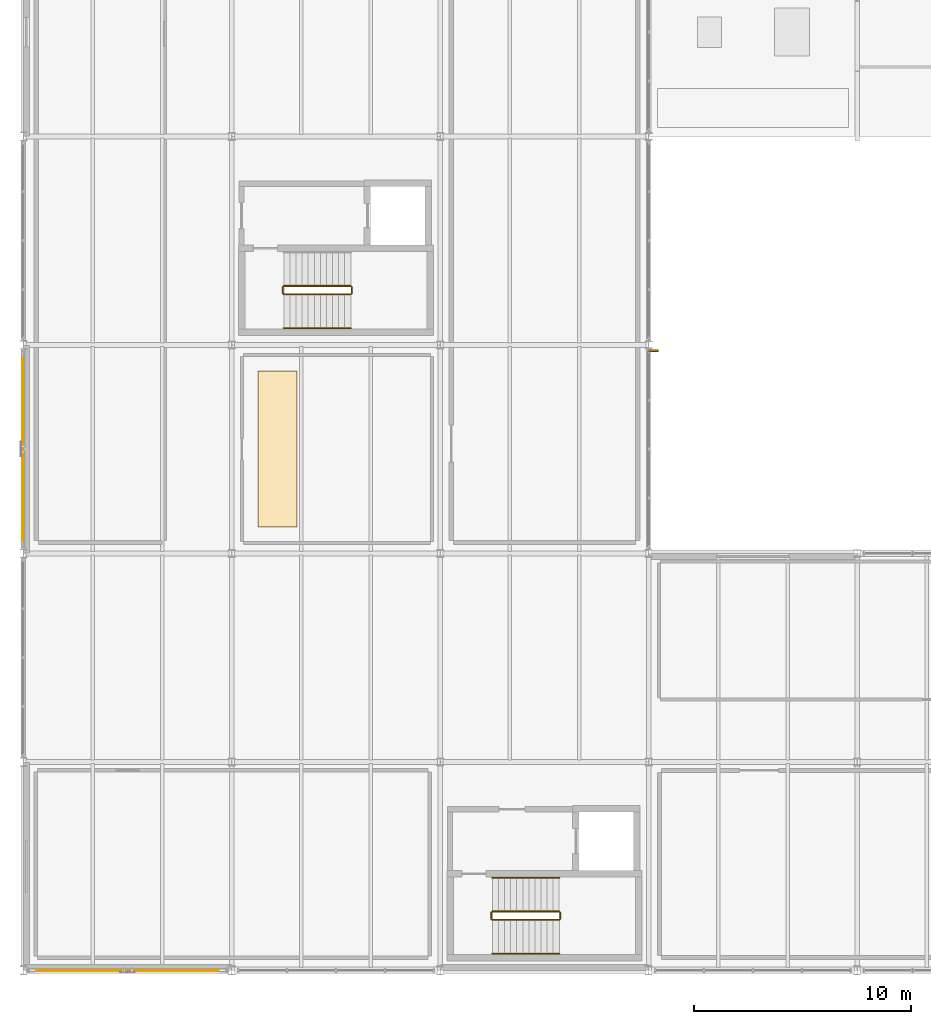
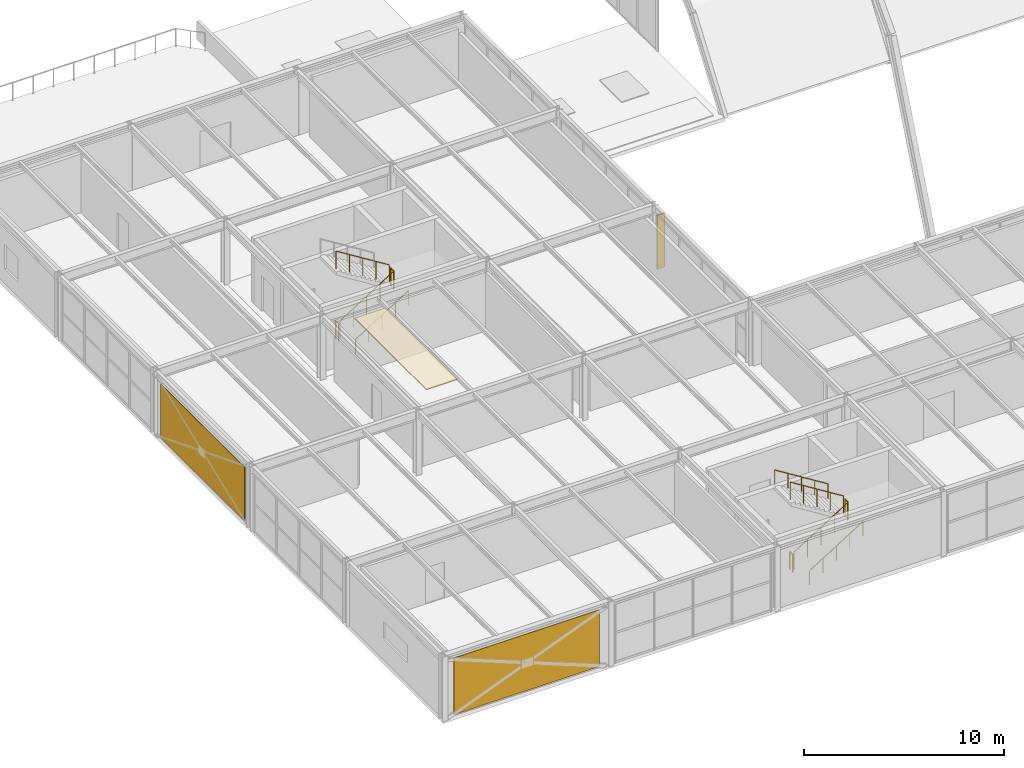
# One storey, part 122 of 126: 11 railings, 3 coverings, 1 shading device.
"""IFC4 building model written with IfcOpenShell, lengths in metres."""

from ifc_helpers import new_model, si_unit, direction, frame, origin, origin_2d, place, context, subcontext, project, spatial, polyline, rectangle, circle, outline, extrude, material, layer, layer_set, type_object, element, save


model = new_model("IFC4")

# Units and contexts
model_context = context("Model", 3, precision=1e-05, world=origin(), true_north=direction((0.0, 1.0)))
body_context = subcontext(model_context, "Body", "Model", "MODEL_VIEW")
ifc_project = project(units=[si_unit("LENGTHUNIT", "METRE"), si_unit("AREAUNIT", "SQUARE_METRE"), si_unit("VOLUMEUNIT", "CUBIC_METRE"), si_unit("PLANEANGLEUNIT", "RADIAN"), si_unit("MASSUNIT", "GRAM", prefix="KILO")], contexts=[model_context])

# Site, building, storey
site_placement = place(None, origin())
site = spatial("IfcSite", under=ifc_project, at=site_placement, CompositionType="ELEMENT")
building_placement = place(site_placement, origin())
building = spatial("IfcBuilding", under=site, at=building_placement, Name="Coralgate Yard Interchange", CompositionType="ELEMENT")
storey_placement = place(building_placement, frame((0.0, 0.0, 10.5)))
storey = spatial("IfcBuildingStorey", under=building, at=storey_placement, Name="L02", CompositionType="ELEMENT", Elevation=10.5)

# Coverings
ifc_material_1 = material(Name="Mineral-fibre acoustic baffle ceiling panel")
ifc_layer_1 = layer(ifc_material_1, 0.06005859375)
ifc_layer_set_1 = layer_set([ifc_layer_1], Name="Mineral-fibre acoustic baffle ceiling panel")
covering_type_1 = type_object("IfcCoveringType", Name="COV-CEL2", PredefinedType="CEILING", material=ifc_layer_set_1)
covering_1_placement = place(storey_placement, frame((0.0, 0.0, 3.925048828125)))
element("IfcCovering", 1, at=covering_1_placement, inside=storey, type_object=covering_type_1, Name="Control Staff Veranda Break Lounge acoustic soffit panel", PredefinedType="CEILING", context=body_context, shape_type="SweptSolid", body=[
    extrude(outline(polyline([(10.81005859375, 20.409912109375), (12.60009765625, 20.409912109375), (12.60009765625, 27.590087890625), (10.81005859375, 27.590087890625), (10.81005859375, 20.409912109375)])), origin(), (0.0, 0.0, 1.0), 0.06005859375),
])
ifc_material_2 = material(Name="Coral-buff architectural terracotta rainscreen cladding", Category="masonry")
ifc_layer_2 = layer(ifc_material_2, 0.0400390625)
ifc_layer_set_2 = layer_set([ifc_layer_2], Name="Coral-buff architectural terracotta rainscreen cladding")
covering_type_2 = type_object("IfcCoveringType", Name="COV-CLD1", PredefinedType="CLADDING", material=ifc_layer_set_2)
covering_2_placement = place(storey_placement, frame((4.800048828125, -0.02001953125, 0.10009765625), z_axis=(0.0, 0.0, 1.0), x_axis=(-1.0, 0.0, 0.0)))
element("IfcCovering", 2, at=covering_2_placement, inside=storey, type_object=covering_type_2, Name="L02 coastal terracotta cladding panel S-0-0", PredefinedType="CLADDING", context=body_context, shape_type="SweptSolid", body=[
    extrude(rectangle(XDim=8.39990234375, YDim=0.0400390625, at=origin_2d()), origin(), (0.0, 0.0, 1.0), 3.4599609375),
])
covering_3_placement = place(storey_placement, frame((-0.02001953125, 24.0, 0.10009765625), z_axis=(0.0, 0.0, 1.0), x_axis=(0.0, 1.0, 0.0)))
element("IfcCovering", 3, at=covering_3_placement, inside=storey, type_object=covering_type_2, Name="L02 coastal terracotta cladding panel W-0-2", PredefinedType="CLADDING", context=body_context, shape_type="SweptSolid", body=[
    extrude(rectangle(XDim=8.39990234375, YDim=0.0400390625, at=origin_2d()), origin(), (0.0, 0.0, 1.0), 3.29296875),
])

# Railings
ifc_material_3 = material(Name="Grade 316 marine stainless steel and toughened glass balustrade", Category="steel")
railing_type_1 = type_object("IfcRailingType", Name="RLG-GD1100", PredefinedType="BALUSTRADE", material=ifc_material_3)
railing_1_placement = place(storey_placement, frame((12.0, 31.1201171875, 0.175048828125)))
element("IfcRailing", 4, at=railing_1_placement, inside=storey, type_object=railing_type_1, Name="L02 ST-01 stair guard 1", PredefinedType="BALUSTRADE", context=body_context, shape_type="SweptSolid", body=[
    extrude(circle(Radius=0.02392578125, at=origin_2d()), frame((0.0, 0.0, 1.076171875), z_axis=(0.847998304005, 0.0, 0.529998940003), x_axis=(0.0, 1.0, 0.0)), (0.0, 0.0, 1.0), 3.632080078125),
    extrude(circle(Radius=0.02099609375, at=origin_2d()), origin(), (0.0, 0.0, 1.0), 1.051513671875),
    extrude(circle(Radius=0.02099609375, at=origin_2d()), frame((0.77001953125, 0.0, 0.481201171875)), (0.0, 0.0, 1.0), 1.051513671875),
    extrude(circle(Radius=0.02099609375, at=origin_2d()), frame((1.5400390625, 0.0, 0.96240234375)), (0.0, 0.0, 1.0), 1.051513671875),
    extrude(circle(Radius=0.02099609375, at=origin_2d()), frame((2.31005859375, 0.0, 1.44384765625)), (0.0, 0.0, 1.0), 1.051513671875),
    extrude(circle(Radius=0.02099609375, at=origin_2d()), frame((3.080078125, 0.0, 1.925048828125)), (0.0, 0.0, 1.0), 1.051513671875),
])
railing_2_placement = place(storey_placement, frame((15.1298828125, 31.169921875, 2.10009765625)))
element("IfcRailing", 5, at=railing_2_placement, inside=storey, type_object=railing_type_1, Name="L02 ST-01 stair guard 2", PredefinedType="BALUSTRADE", context=body_context, shape_type="SweptSolid", body=[
    extrude(circle(Radius=0.02392578125, at=origin_2d()), frame((0.0, 0.0, 1.076171875), z_axis=(0.0, 1.0, 0.0), x_axis=(-1.0, 0.0, 0.0)), (0.0, 0.0, 1.0), 0.2900390625),
    extrude(circle(Radius=0.02099609375, at=origin_2d()), origin(), (0.0, 0.0, 1.0), 1.051513671875),
    extrude(circle(Radius=0.02099609375, at=origin_2d()), frame((0.0, 0.2900390625, 0.0)), (0.0, 0.0, 1.0), 1.051513671875),
])
railing_3_placement = place(storey_placement, frame((15.080078125, 31.510009765625, 2.27490234375)))
element("IfcRailing", 6, at=railing_3_placement, inside=storey, type_object=railing_type_1, Name="L02 ST-01 stair guard 3", PredefinedType="BALUSTRADE", context=body_context, shape_type="SweptSolid", body=[
    extrude(circle(Radius=0.02392578125, at=origin_2d()), frame((0.0, 0.0, 1.076171875), z_axis=(-0.847998304005, 0.0, 0.529998940003), x_axis=(0.0, -1.0, 0.0)), (0.0, 0.0, 1.0), 3.632080078125),
    extrude(circle(Radius=0.02099609375, at=origin_2d()), origin(), (0.0, 0.0, 1.0), 1.051513671875),
    extrude(circle(Radius=0.02099609375, at=origin_2d()), frame((-0.77001953125, 0.0, 0.481201171875)), (0.0, 0.0, 1.0), 1.051513671875),
    extrude(circle(Radius=0.02099609375, at=origin_2d()), frame((-1.5400390625, 0.0, 0.96240234375)), (0.0, 0.0, 1.0), 1.051513671875),
    extrude(circle(Radius=0.02099609375, at=origin_2d()), frame((-2.31005859375, 0.0, 1.44384765625)), (0.0, 0.0, 1.0), 1.051513671875),
    extrude(circle(Radius=0.02099609375, at=origin_2d()), frame((-3.080078125, 0.0, 1.925048828125)), (0.0, 0.0, 1.0), 1.051513671875),
])
railing_4_placement = place(storey_placement, frame((11.949951171875, 31.169921875, 0.0)))
element("IfcRailing", 7, at=railing_4_placement, inside=storey, type_object=railing_type_1, Name="L02 ST-01 stair guard 4", PredefinedType="BALUSTRADE", context=body_context, shape_type="SweptSolid", body=[
    extrude(circle(Radius=0.02392578125, at=origin_2d()), frame((0.0, 0.0, 1.076171875), z_axis=(0.0, 1.0, 0.0), x_axis=(-1.0, 0.0, 0.0)), (0.0, 0.0, 1.0), 0.2900390625),
    extrude(circle(Radius=0.02099609375, at=origin_2d()), origin(), (0.0, 0.0, 1.0), 1.051513671875),
    extrude(circle(Radius=0.02099609375, at=origin_2d()), frame((0.0, 0.2900390625, 0.0)), (0.0, 0.0, 1.0), 1.051513671875),
])
railing_5_placement = place(storey_placement, frame((21.60009765625, 2.320068359375, 0.175048828125)))
element("IfcRailing", 8, at=railing_5_placement, inside=storey, type_object=railing_type_1, Name="L02 ST-03 stair guard 1", PredefinedType="BALUSTRADE", context=body_context, shape_type="SweptSolid", body=[
    extrude(circle(Radius=0.02392578125, at=origin_2d()), frame((0.0, 0.0, 1.076171875), z_axis=(0.847979421464, 0.0, 0.530029150871), x_axis=(0.0, 1.0, 0.0)), (0.0, 0.0, 1.0), 3.632080078125),
    extrude(circle(Radius=0.02099609375, at=origin_2d()), origin(), (0.0, 0.0, 1.0), 1.051513671875),
    extrude(circle(Radius=0.02099609375, at=origin_2d()), frame((0.77001953125, 0.0, 0.481201171875)), (0.0, 0.0, 1.0), 1.051513671875),
    extrude(circle(Radius=0.02099609375, at=origin_2d()), frame((1.5400390625, 0.0, 0.96240234375)), (0.0, 0.0, 1.0), 1.051513671875),
    extrude(circle(Radius=0.02099609375, at=origin_2d()), frame((2.309814453125, 0.0, 1.44384765625)), (0.0, 0.0, 1.0), 1.051513671875),
    extrude(circle(Radius=0.02099609375, at=origin_2d()), frame((3.079833984375, 0.0, 1.925048828125)), (0.0, 0.0, 1.0), 1.051513671875),
])
railing_6_placement = place(storey_placement, frame((24.72998046875, 2.3701171875, 2.10009765625)))
element("IfcRailing", 9, at=railing_6_placement, inside=storey, type_object=railing_type_1, Name="L02 ST-03 stair guard 2", PredefinedType="BALUSTRADE", context=body_context, shape_type="SweptSolid", body=[
    extrude(circle(Radius=0.02392578125, at=origin_2d()), frame((0.0, 0.0, 1.076171875), z_axis=(0.0, 1.0, 0.0), x_axis=(-1.0, 0.0, 0.0)), (0.0, 0.0, 1.0), 0.289794921875),
    extrude(circle(Radius=0.02099609375, at=origin_2d()), origin(), (0.0, 0.0, 1.0), 1.051513671875),
    extrude(circle(Radius=0.02099609375, at=origin_2d()), frame((0.0, 0.289794921875, 0.0)), (0.0, 0.0, 1.0), 1.051513671875),
])
railing_7_placement = place(storey_placement, frame((24.679931640625, 2.7099609375, 2.27490234375)))
element("IfcRailing", 10, at=railing_7_placement, inside=storey, type_object=railing_type_1, Name="L02 ST-03 stair guard 3", PredefinedType="BALUSTRADE", context=body_context, shape_type="SweptSolid", body=[
    extrude(circle(Radius=0.02392578125, at=origin_2d()), frame((0.0, 0.0, 1.076171875), z_axis=(-0.847979421464, 0.0, 0.530029150871), x_axis=(0.0, -1.0, 0.0)), (0.0, 0.0, 1.0), 3.632080078125),
    extrude(circle(Radius=0.02099609375, at=origin_2d()), origin(), (0.0, 0.0, 1.0), 1.051513671875),
    extrude(circle(Radius=0.02099609375, at=origin_2d()), frame((-0.77001953125, 0.0, 0.481201171875)), (0.0, 0.0, 1.0), 1.051513671875),
    extrude(circle(Radius=0.02099609375, at=origin_2d()), frame((-1.5400390625, 0.0, 0.96240234375)), (0.0, 0.0, 1.0), 1.051513671875),
    extrude(circle(Radius=0.02099609375, at=origin_2d()), frame((-2.309814453125, 0.0, 1.44384765625)), (0.0, 0.0, 1.0), 1.051513671875),
    extrude(circle(Radius=0.02099609375, at=origin_2d()), frame((-3.079833984375, 0.0, 1.925048828125)), (0.0, 0.0, 1.0), 1.051513671875),
])
railing_8_placement = place(storey_placement, frame((21.550048828125, 2.3701171875, 0.0)))
element("IfcRailing", 11, at=railing_8_placement, inside=storey, type_object=railing_type_1, Name="L02 ST-03 stair guard 4", PredefinedType="BALUSTRADE", context=body_context, shape_type="SweptSolid", body=[
    extrude(circle(Radius=0.02392578125, at=origin_2d()), frame((0.0, 0.0, 1.076171875), z_axis=(0.0, 1.0, 0.0), x_axis=(-1.0, 0.0, 0.0)), (0.0, 0.0, 1.0), 0.289794921875),
    extrude(circle(Radius=0.02099609375, at=origin_2d()), origin(), (0.0, 0.0, 1.0), 1.051513671875),
    extrude(circle(Radius=0.02099609375, at=origin_2d()), frame((0.0, 0.289794921875, 0.0)), (0.0, 0.0, 1.0), 1.051513671875),
])
ifc_material_4 = material(Name="Grade 316 marine stainless steel", Category="steel")
railing_type_2 = type_object("IfcRailingType", Name="RLG-HR900", PredefinedType="HANDRAIL", material=ifc_material_4)
railing_9_placement = place(storey_placement, frame((12.0, 29.570068359375, 0.175048828125)))
element("IfcRailing", 12, at=railing_9_placement, inside=storey, type_object=railing_type_2, Name="L02 ST-01 stair handrail 1", PredefinedType="HANDRAIL", context=body_context, shape_type="SweptSolid", body=[
    extrude(circle(Radius=0.02392578125, at=origin_2d()), frame((0.0, 0.0, 0.8759765625), z_axis=(0.847998304005, 0.0, 0.529998940003), x_axis=(0.0, 1.0, 0.0)), (0.0, 0.0, 1.0), 3.632080078125),
    extrude(circle(Radius=0.02099609375, at=origin_2d()), origin(), (0.0, 0.0, 1.0), 0.851318359375),
    extrude(circle(Radius=0.02099609375, at=origin_2d()), frame((0.77001953125, 0.0, 0.481201171875)), (0.0, 0.0, 1.0), 0.851318359375),
    extrude(circle(Radius=0.02099609375, at=origin_2d()), frame((1.5400390625, 0.0, 0.96240234375)), (0.0, 0.0, 1.0), 0.851318359375),
    extrude(circle(Radius=0.02099609375, at=origin_2d()), frame((2.31005859375, 0.0, 1.44384765625)), (0.0, 0.0, 1.0), 0.851318359375),
    extrude(circle(Radius=0.02099609375, at=origin_2d()), frame((3.080078125, 0.0, 1.925048828125)), (0.0, 0.0, 1.0), 0.851318359375),
])
railing_10_placement = place(storey_placement, frame((21.60009765625, 0.77001953125, 0.175048828125)))
element("IfcRailing", 13, at=railing_10_placement, inside=storey, type_object=railing_type_2, Name="L02 ST-03 stair handrail 1", PredefinedType="HANDRAIL", context=body_context, shape_type="SweptSolid", body=[
    extrude(circle(Radius=0.02392578125, at=origin_2d()), frame((0.0, 0.0, 0.8759765625), z_axis=(0.847979421464, 0.0, 0.530029150871), x_axis=(0.0, 1.0, 0.0)), (0.0, 0.0, 1.0), 3.632080078125),
    extrude(circle(Radius=0.02099609375, at=origin_2d()), origin(), (0.0, 0.0, 1.0), 0.851318359375),
    extrude(circle(Radius=0.02099609375, at=origin_2d()), frame((0.77001953125, 0.0, 0.481201171875)), (0.0, 0.0, 1.0), 0.851318359375),
    extrude(circle(Radius=0.02099609375, at=origin_2d()), frame((1.5400390625, 0.0, 0.96240234375)), (0.0, 0.0, 1.0), 0.851318359375),
    extrude(circle(Radius=0.02099609375, at=origin_2d()), frame((2.309814453125, 0.0, 1.44384765625)), (0.0, 0.0, 1.0), 0.851318359375),
    extrude(circle(Radius=0.02099609375, at=origin_2d()), frame((3.079833984375, 0.0, 1.925048828125)), (0.0, 0.0, 1.0), 0.851318359375),
])
railing_11_placement = place(storey_placement, frame((24.679931640625, 4.260009765625, 2.27490234375)))
element("IfcRailing", 14, at=railing_11_placement, inside=storey, type_object=railing_type_2, Name="L02 ST-03 stair handrail 2", PredefinedType="HANDRAIL", context=body_context, shape_type="SweptSolid", body=[
    extrude(circle(Radius=0.02392578125, at=origin_2d()), frame((0.0, 0.0, 0.8759765625), z_axis=(-0.847979421464, 0.0, 0.530029150871), x_axis=(0.0, -1.0, 0.0)), (0.0, 0.0, 1.0), 3.632080078125),
    extrude(circle(Radius=0.02099609375, at=origin_2d()), origin(), (0.0, 0.0, 1.0), 0.851318359375),
    extrude(circle(Radius=0.02099609375, at=origin_2d()), frame((-0.77001953125, 0.0, 0.481201171875)), (0.0, 0.0, 1.0), 0.851318359375),
    extrude(circle(Radius=0.02099609375, at=origin_2d()), frame((-1.5400390625, 0.0, 0.96240234375)), (0.0, 0.0, 1.0), 0.851318359375),
    extrude(circle(Radius=0.02099609375, at=origin_2d()), frame((-2.309814453125, 0.0, 1.44384765625)), (0.0, 0.0, 1.0), 0.851318359375),
    extrude(circle(Radius=0.02099609375, at=origin_2d()), frame((-3.079833984375, 0.0, 1.925048828125)), (0.0, 0.0, 1.0), 0.851318359375),
])

# Shading device
ifc_material_5 = material(Name="Anodised coastal aluminium vertical brise-soleil blade", Category="aluminium")
shading_device_type = type_object("IfcShadingDeviceType", Name="SHD-BS1", PredefinedType="SHUTTER", material=ifc_material_5)
shading_device_placement = place(storey_placement, frame((29.02001953125, 28.530029296875, 0.10009765625), z_axis=(0.0, 0.0, 1.0), x_axis=(0.0, -1.0, 0.0)))
element("IfcShadingDevice", 15, at=shading_device_placement, inside=storey, type_object=shading_device_type, Name="L02 coastal aluminium brise-soleil fin E-2-2", PredefinedType="SHUTTER", context=body_context, shape_type="SweptSolid", body=[
    extrude(rectangle(XDim=0.080078125, YDim=0.449951171875, at=origin_2d()), origin(), (0.0, 0.0, 1.0), 3.29296875),
])

save(model, "model.ifc")
